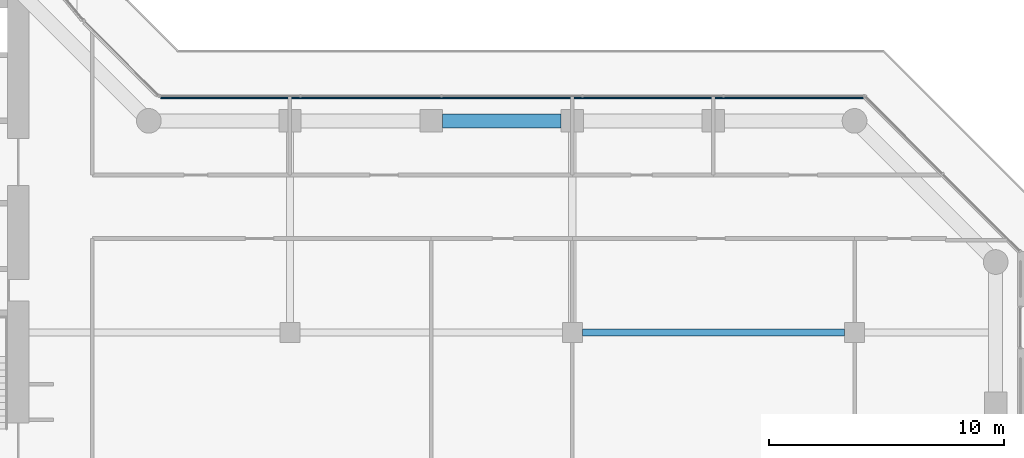
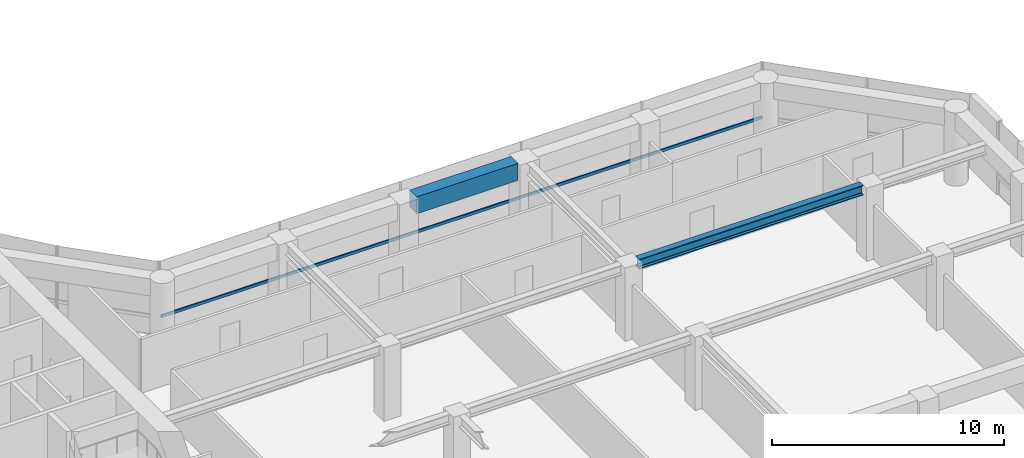
# One storey, part 10 of 31: 2 beams, 1 member, 1 element without a shape of its own.
"""IFC4 building model written with IfcOpenShell, lengths in metres."""

from ifc_helpers import new_model, si_unit, direction, frame, origin, origin_2d, place, context, subcontext, project, spatial, rectangle, i_section, extrude, material, layer, layer_set, material_profile, profile_set, type_object, element, aggregate, save


model = new_model("IFC4")

# Units and contexts
model_context = context("Model", 3, precision=1e-05, world=origin(), true_north=direction((0.0, 1.0)))
body_context = subcontext(model_context, "Body", "Model", "MODEL_VIEW")
ifc_project = project(units=[si_unit("LENGTHUNIT", "METRE"), si_unit("AREAUNIT", "SQUARE_METRE"), si_unit("VOLUMEUNIT", "CUBIC_METRE"), si_unit("PLANEANGLEUNIT", "RADIAN"), si_unit("MASSUNIT", "GRAM", prefix="KILO")], contexts=[model_context])

# Site, building, storey
site_placement = place(None, origin())
site = spatial("IfcSite", under=ifc_project, at=site_placement, CompositionType="ELEMENT")
building_placement = place(site_placement, origin())
building = spatial("IfcBuilding", under=site, at=building_placement, Name="Welwitschia Terrace Campus", CompositionType="ELEMENT")
storey_placement = place(building_placement, frame((0.0, 0.0, 29.0)))
storey = spatial("IfcBuildingStorey", under=building, at=storey_placement, Name="L06", CompositionType="ELEMENT", Elevation=29.0)

# Beams
ifc_material_1 = material(Name="Steel S355", Category="steel")
ifc_material_profile_1 = material_profile(ifc_material_1, i_section(OverallWidth=0.305908203125, OverallDepth=0.52392578125, WebThickness=0.02099609375, FlangeThickness=0.0400390625, FilletRadius=0.027099609375, at=origin_2d()))
ifc_profile_set_1 = profile_set([ifc_material_profile_1], Name="Steel S355")
beam_type_1 = type_object("IfcBeamType", Name="Interior girder HE 500 M", PredefinedType="BEAM", material=ifc_profile_set_1)
beam_1_placement = place(storey_placement, frame((48.425537109375, 11.0, 3.587890625), z_axis=(1.0, 0.0, 0.0), x_axis=(0.0, 1.0, 0.0)))
element("IfcBeam", 1, at=beam_1_placement, inside=storey, type_object=beam_type_1, Name="Girder GB2", PredefinedType="BEAM", context=body_context, shape_type="SweptSolid", body=[
    extrude(i_section(OverallWidth=0.305908203125, OverallDepth=0.52392578125, WebThickness=0.02099609375, FlangeThickness=0.0400390625, FilletRadius=0.027099609375, at=origin_2d()), origin(), (0.0, 0.0, 1.0), 11.14892578125),
])
ifc_material_2 = material(Name="Concrete C60/75", Category="concrete")
ifc_material_profile_2 = material_profile(ifc_material_2, rectangle(XDim=0.60009765625, YDim=0.89990234375, at=origin_2d()))
ifc_profile_set_2 = profile_set([ifc_material_profile_2], Name="Concrete C60/75")
beam_type_2 = type_object("IfcBeamType", Name="Ring spandrel 600x900", PredefinedType="SPANDREL", material=ifc_profile_set_2)
beam_2_placement = place(storey_placement, frame((47.5244140625, 20.0, 3.39990234375), z_axis=(-1.0, 0.0, 0.0), x_axis=(0.0, -1.0, 0.0)))
element("IfcBeam", 2, at=beam_2_placement, inside=storey, type_object=beam_type_2, Name="Spandrel SP2", PredefinedType="SPANDREL", context=body_context, shape_type="SweptSolid", body=[
    extrude(rectangle(XDim=0.60009765625, YDim=0.89990234375, at=origin_2d()), origin(), (0.0, 0.0, 1.0), 5.048828125),
])

# Curtain wall, member
ifc_material_3 = material(Name="Bronze anodised aluminium", Category="aluminium")
ifc_layer = layer(ifc_material_3, 0.1201171875)
ifc_layer_set = layer_set([ifc_layer], Name="Bronze anodised aluminium")
curtain_wall_type = type_object("IfcCurtainWallType", Name="Curtain wall CW2 tower 6000", PredefinedType="NOTDEFINED", material=ifc_layer_set)
curtain_wall_placement = place(storey_placement, origin())
curtain_wall = element("IfcCurtainWall", 3, at=curtain_wall_placement, inside=storey, type_object=curtain_wall_type, Name="CW L06.9.0", PredefinedType="NOTDEFINED")
ifc_material_4 = material(Name="Bronze anodised aluminium", Category="aluminium")
ifc_material_profile_3 = material_profile(ifc_material_4, rectangle(XDim=0.06005859375, YDim=0.14990234375, at=origin_2d()))
ifc_profile_set_3 = profile_set([ifc_material_profile_3], Name="Bronze anodised aluminium")
member_type = type_object("IfcMemberType", Name="Transom 60x150", PredefinedType="USERDEFINED", material=ifc_profile_set_3)
member_placement = place(storey_placement, frame((60.378173828125, 20.968017578125, 1.0), z_axis=(-1.0, 0.0, 0.0), x_axis=(0.0, -1.0, 0.0)))
member = element("IfcMember", 4, at=member_placement, type_object=member_type, Name="Transom L06.9.0", ObjectType="TRANSOM", PredefinedType="USERDEFINED", context=body_context, shape_type="SweptSolid", body=[
    extrude(rectangle(XDim=0.06005859375, YDim=0.14990234375, at=origin_2d()), origin(), (0.0, 0.0, 1.0), 29.8798828125),
])
aggregate(curtain_wall, [member])

save(model, "model.ifc")
